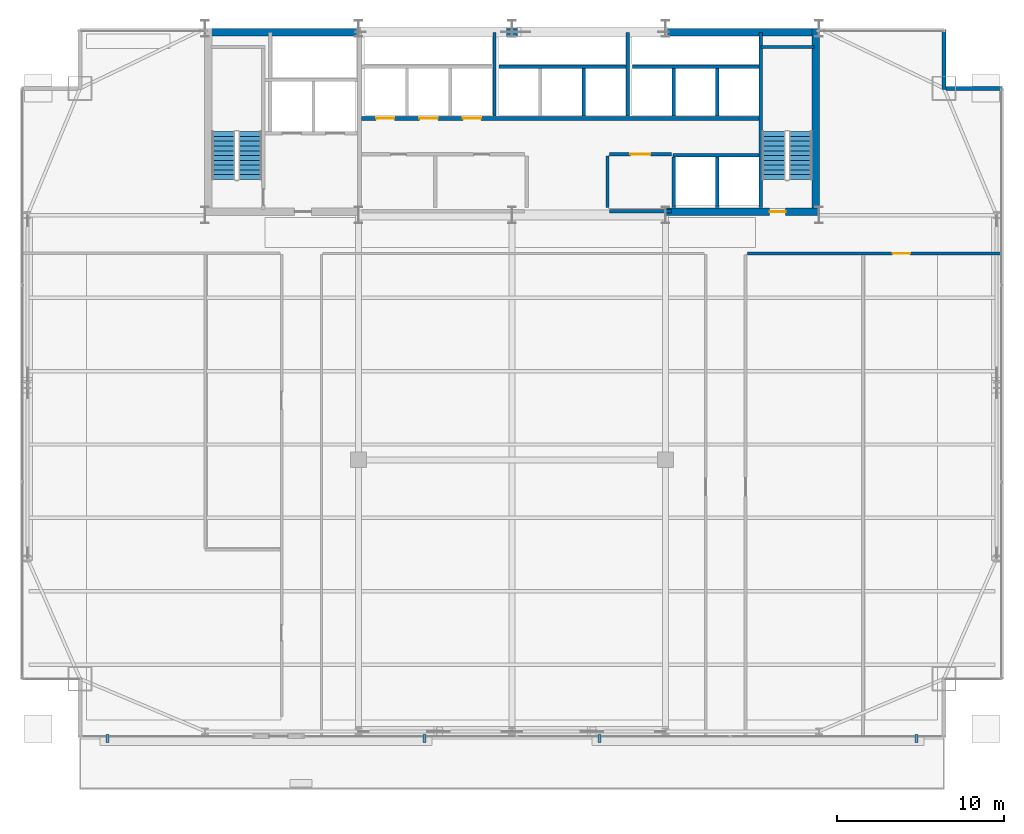
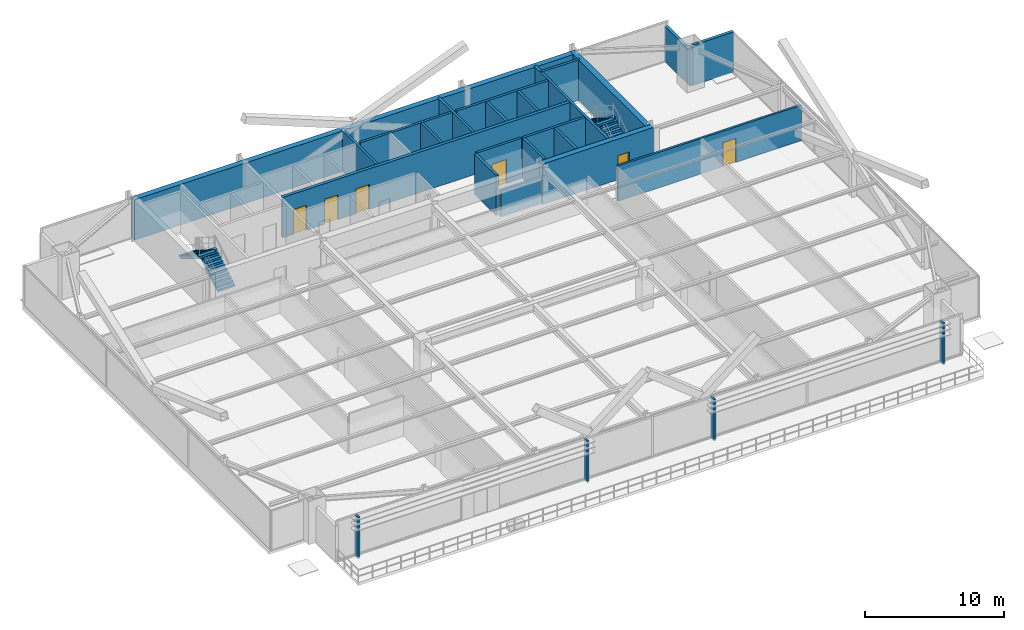
# One storey, part 33 of 35: 22 walls, 6 doors, 4 discrete accessories, 4 stair flights, 6 openings, 2 elements without a shape of their own.
"""IFC4 building model written with IfcOpenShell, lengths in metres."""

from ifc_helpers import new_model, si_unit, direction, frame, frame_2d, origin, origin_2d, place, context, subcontext, project, spatial, polyline, rectangle, outline, extrude, source, transform, mapped, material, layer, layer_set, type_object, type_shapes, element, fill, aggregate, save


model = new_model("IFC4")

# Units and contexts
model_context = context("Model", 3, precision=1e-05, world=origin(), true_north=direction((0.0, 1.0)))
body_context = subcontext(model_context, "Body", "Model", "MODEL_VIEW")
ifc_project = project(units=[si_unit("LENGTHUNIT", "METRE"), si_unit("AREAUNIT", "SQUARE_METRE"), si_unit("VOLUMEUNIT", "CUBIC_METRE"), si_unit("PLANEANGLEUNIT", "RADIAN"), si_unit("MASSUNIT", "GRAM", prefix="KILO")], contexts=[model_context])

# Site, building, storey
site_placement = place(None, origin())
site = spatial("IfcSite", under=ifc_project, at=site_placement, CompositionType="ELEMENT")
building_placement = place(site_placement, origin())
building = spatial("IfcBuilding", under=site, at=building_placement, Name="Varnel Quay Broadcast Tower", CompositionType="ELEMENT")
storey_placement = place(building_placement, frame((0.0, 0.0, 87.0)))
storey = spatial("IfcBuildingStorey", under=building, at=storey_placement, Name="L20", CompositionType="ELEMENT", Elevation=87.0)

# Walls
ifc_material_1 = material(Name="Concrete CSA A23.3 C50/60", Category="concrete")
ifc_layer_1 = layer(ifc_material_1, 0.199951171875, Name="Concrete CSA A23.3 C50/60")
ifc_layer_set_1 = layer_set([ifc_layer_1], Name="Concrete CSA A23.3 C50/60")
wall_type_1 = type_object("IfcWallType", Name="Wall_CoreShaftShear200", PredefinedType="SHEAR", material=ifc_layer_set_1)
wall_1_placement = place(storey_placement, frame((48.919921875, 36.050048828125, 0.0), z_axis=(0.0, 0.0, 1.0), x_axis=(0.0, 1.0, 0.0)))
element("IfcWall", 1, at=wall_1_placement, inside=storey, type_object=wall_type_1, Name="L20 Stair 2 West Structural Wall", PredefinedType="SHEAR", context=body_context, shape_type="SweptSolid", body=[
    extrude(rectangle(XDim=10.5, YDim=0.199951171875, at=frame_2d((5.25, 0.0))), origin(), (0.0, 0.0, 1.0), 3.550048828125),
])
wall_2_placement = place(storey_placement, frame((48.919921875, 45.679931640625, 0.0), z_axis=(0.0, 0.0, 1.0), x_axis=(1.0, 0.0, 0.0)))
element("IfcWall", 2, at=wall_2_placement, inside=storey, type_object=wall_type_1, Name="L20 Stair 2 North Structural Wall", PredefinedType="SHEAR", context=body_context, shape_type="SweptSolid", body=[
    extrude(rectangle(XDim=3.18017578125, YDim=0.199951171875, at=frame_2d((1.590087890625, 0.0))), origin(), (0.0, 0.0, 1.0), 3.550048828125),
])
wall_3_placement = place(storey_placement, frame((32.949951171875, 41.530029296875, 0.0), z_axis=(0.0, 0.0, 1.0), x_axis=(0.0, 1.0, 0.0)))
element("IfcWall", 3, at=wall_3_placement, inside=storey, type_object=wall_type_1, Name="L20 Low-Rise Lift Shaft Divider 3", PredefinedType="SHEAR", context=body_context, shape_type="SweptSolid", body=[
    extrude(rectangle(XDim=5.02001953125, YDim=0.199951171875, at=frame_2d((2.510009765625, 0.0))), origin(), (0.0, 0.0, 1.0), 3.550048828125),
])
wall_4_placement = place(storey_placement, frame((33.219970703125, 44.5, 0.0), z_axis=(0.0, 0.0, 1.0), x_axis=(1.0, 0.0, 0.0)))
element("IfcWall", 4, at=wall_4_placement, inside=storey, type_object=wall_type_1, Name="L20 Mid-Rise Lift Shaft Rear Wall", PredefinedType="SHEAR", context=body_context, shape_type="SweptSolid", body=[
    extrude(rectangle(XDim=7.630126953125, YDim=0.199951171875, at=frame_2d((3.81494140625, 0.0))), origin(), (0.0, 0.0, 1.0), 3.550048828125),
])
wall_5_placement = place(storey_placement, frame((38.300048828125, 41.530029296875, 0.0), z_axis=(0.0, 0.0, 1.0), x_axis=(0.0, 1.0, 0.0)))
element("IfcWall", 5, at=wall_5_placement, inside=storey, type_object=wall_type_1, Name="L20 Mid-Rise Lift Shaft Divider 3", PredefinedType="SHEAR", context=body_context, shape_type="SweptSolid", body=[
    extrude(rectangle(XDim=2.869873046875, YDim=0.199951171875, at=frame_2d((1.43505859375, 0.0))), origin(), (0.0, 0.0, 1.0), 3.550048828125),
])
wall_6_placement = place(storey_placement, frame((40.949951171875, 41.530029296875, 0.0), z_axis=(0.0, 0.0, 1.0), x_axis=(0.0, 1.0, 0.0)))
element("IfcWall", 6, at=wall_6_placement, inside=storey, type_object=wall_type_1, Name="L20 Mid-Rise Lift Shaft Divider 4", PredefinedType="SHEAR", context=body_context, shape_type="SweptSolid", body=[
    extrude(rectangle(XDim=5.02001953125, YDim=0.199951171875, at=frame_2d((2.510009765625, 0.0))), origin(), (0.0, 0.0, 1.0), 3.550048828125),
])
wall_7_placement = place(storey_placement, frame((41.219970703125, 44.5, 0.0), z_axis=(0.0, 0.0, 1.0), x_axis=(1.0, 0.0, 0.0)))
element("IfcWall", 7, at=wall_7_placement, inside=storey, type_object=wall_type_1, Name="L20 High-Rise Lift Shaft Rear Wall", PredefinedType="SHEAR", context=body_context, shape_type="SweptSolid", body=[
    extrude(rectangle(XDim=7.580078125, YDim=0.199951171875, at=frame_2d((3.7900390625, 0.0))), origin(), (0.0, 0.0, 1.0), 3.550048828125),
])
for number, where, z_axis, x_axis, name in (
    (8, (43.699951171875, 41.530029296875, 0.0), (0.0, 0.0, 1.0), (0.0, 1.0, 0.0), "L20 High-Rise Lift Shaft Divider 2"),
    (9, (46.300048828125, 41.530029296875, 0.0), (0.0, 0.0, 1.0), (0.0, 1.0, 0.0), "L20 High-Rise Lift Shaft Divider 3"),
):
    element("IfcWall", number, at=place(storey_placement, frame(where, z_axis=z_axis, x_axis=x_axis)), inside=storey, type_object=wall_type_1, Name=name, PredefinedType="SHEAR", context=body_context, shape_type="SweptSolid", body=[
        extrude(rectangle(XDim=2.869873046875, YDim=0.199951171875, at=frame_2d((1.43505859375, 0.0))), origin(), (0.0, 0.0, 1.0), 3.550048828125),
    ])
for number, where, z_axis, x_axis, name in (
    (10, (43.699951171875, 36.050048828125, 0.0), (0.0, 0.0, 1.0), (0.0, 1.0, 0.0), "L20 Express Lift Shaft West Wall"),
    (11, (46.300048828125, 36.050048828125, 0.0), (0.0, 0.0, 1.0), (0.0, 1.0, 0.0), "L20 Express Lift Shaft Divider"),
):
    element("IfcWall", number, at=place(storey_placement, frame(where, z_axis=z_axis, x_axis=x_axis)), inside=storey, type_object=wall_type_1, Name=name, PredefinedType="SHEAR", context=body_context, shape_type="SweptSolid", body=[
        extrude(rectangle(XDim=3.050048828125, YDim=0.199951171875, at=frame_2d((1.52490234375, 0.0))), origin(), (0.0, 0.0, 1.0), 3.550048828125),
    ])
wall_8_placement = place(storey_placement, frame((43.64990234375, 39.199951171875, 0.0), z_axis=(0.0, 0.0, 1.0), x_axis=(1.0, 0.0, 0.0)))
element("IfcWall", 12, at=wall_8_placement, inside=storey, type_object=wall_type_1, Name="L20 Express Lift Shaft North Front Wall", PredefinedType="SHEAR", context=body_context, shape_type="SweptSolid", body=[
    extrude(rectangle(XDim=5.150146484375, YDim=0.199951171875, at=frame_2d((2.5751953125, 0.0))), origin(), (0.0, 0.0, 1.0), 3.550048828125),
])

# Wall, openings, doors
ifc_layer_2 = layer(ifc_material_1, 0.25, Name="Concrete CSA A23.3 C50/60")
ifc_layer_set_2 = layer_set([ifc_layer_2], Name="Concrete CSA A23.3 C50/60")
wall_type_2 = type_object("IfcWallType", Name="Wall_CoreShaftShear250", PredefinedType="SHEAR", material=ifc_layer_set_2)
wall_9_placement = place(storey_placement, frame((24.97998046875, 41.39990234375, 0.0), z_axis=(0.0, 0.0, 1.0), x_axis=(1.0, 0.0, 0.0)))
wall_9 = element("IfcWall", 13, at=wall_9_placement, inside=storey, type_object=wall_type_2, Name="L20 North Lift Bank & Reclaimed Suite Wall", PredefinedType="SHEAR", context=body_context, shape_type="SweptSolid", body=[
    extrude(rectangle(XDim=23.820068359375, YDim=0.25, at=frame_2d((11.91015625, 0.0))), origin(), (0.0, 0.0, 1.0), 3.550048828125),
])
opening_1_placement = place(wall_9_placement, frame((0.8701171875, 0.0, 0.0)))
opening_1 = element("IfcOpeningElement", 14, at=opening_1_placement, cuts=wall_9, Name="Opening LD-L20-PL-01", PredefinedType="OPENING", context=body_context, shape_type="SweptSolid", body=[
    extrude(rectangle(XDim=1.10009765625, YDim=2.179931640625, at=frame_2d((0.550048828125, 1.08984375))), frame((0.0, 0.135009765625, 0.0), z_axis=(0.0, -1.0, 0.0), x_axis=(1.0, 0.0, 0.0)), (0.0, 0.0, 1.0), 0.27001953125),
])
opening_2_placement = place(wall_9_placement, frame((3.469970703125, 0.0, 0.0)))
opening_2 = element("IfcOpeningElement", 15, at=opening_2_placement, cuts=wall_9, Name="Opening LD-L20-PL-02", PredefinedType="OPENING", context=body_context, shape_type="SweptSolid", body=[
    extrude(rectangle(XDim=1.10009765625, YDim=2.179931640625, at=frame_2d((0.550048828125, 1.08984375))), frame((0.0, 0.135009765625, 0.0), z_axis=(0.0, -1.0, 0.0), x_axis=(1.0, 0.0, 0.0)), (0.0, 0.0, 1.0), 0.27001953125),
])
opening_3_placement = place(wall_9_placement, frame((6.070068359375, 0.0, 0.0)))
opening_3 = element("IfcOpeningElement", 16, at=opening_3_placement, cuts=wall_9, Name="Opening LD-L20-PL-03", PredefinedType="OPENING", context=body_context, shape_type="SweptSolid", body=[
    extrude(rectangle(XDim=1.10009765625, YDim=2.179931640625, at=frame_2d((0.550048828125, 1.08984375))), frame((0.0, 0.135009765625, 0.0), z_axis=(0.0, -1.0, 0.0), x_axis=(1.0, 0.0, 0.0)), (0.0, 0.0, 1.0), 0.27001953125),
])
ifc_material_2 = material(Name="Brushed Bronze-Stainless Lift Car & Sliding Doors", Category="steel")
door_type_1 = type_object("IfcDoorType", Name="Door_LiftLanding1100", OperationType="SLIDING_TO_LEFT", PredefinedType="DOOR", material=ifc_material_2)
shared_shape_1 = source(origin(), body_context, "Body", "SweptSolid", [
    extrude(rectangle(XDim=1.10009765625, YDim=2.179931640625, at=frame_2d((0.550048828125, 1.08984375))), frame((0.0, 0.02490234375, 0.0), z_axis=(0.0, -1.0, 0.0), x_axis=(1.0, 0.0, 0.0)), (0.0, 0.0, 1.0), 0.050048828125),
])
type_shapes(door_type_1, [shared_shape_1])
door_1_placement = place(opening_1_placement, frame((1.10009765625, 0.0, 0.0), z_axis=(0.0, 0.0, 1.0), x_axis=(-1.0, 0.0, 0.0)))
door_1 = element("IfcDoor", 17, at=door_1_placement, inside=storey, type_object=door_type_1, Name="L20 Lift PL-01 Landing Door", OperationType="SLIDING_TO_LEFT", OverallHeight=2.179931640625, OverallWidth=1.10009765625, PredefinedType="DOOR", context=body_context, shape_type="MappedRepresentation", body=[
    mapped(shared_shape_1, transform((0.0, 0.0, 0.0), x_axis=(1.0, 0.0, 0.0), y_axis=(0.0, 1.0, 0.0), z_axis=(0.0, 0.0, 1.0), scale=1.0)),
])
fill(opening_1, door_1)
door_2_placement = place(opening_2_placement, frame((1.10009765625, 0.0, 0.0), z_axis=(0.0, 0.0, 1.0), x_axis=(-1.0, 0.0, 0.0)))
door_2 = element("IfcDoor", 18, at=door_2_placement, inside=storey, type_object=door_type_1, Name="L20 Lift PL-02 Landing Door", OperationType="SLIDING_TO_LEFT", OverallHeight=2.179931640625, OverallWidth=1.10009765625, PredefinedType="DOOR", context=body_context, shape_type="MappedRepresentation", body=[
    mapped(shared_shape_1, transform((0.0, 0.0, 0.0), x_axis=(1.0, 0.0, 0.0), y_axis=(0.0, 1.0, 0.0), z_axis=(0.0, 0.0, 1.0), scale=1.0)),
])
fill(opening_2, door_2)
door_3_placement = place(opening_3_placement, frame((1.10009765625, 0.0, 0.0), z_axis=(0.0, 0.0, 1.0), x_axis=(-1.0, 0.0, 0.0)))
door_3 = element("IfcDoor", 19, at=door_3_placement, inside=storey, type_object=door_type_1, Name="L20 Lift PL-03 Landing Door", OperationType="SLIDING_TO_LEFT", OverallHeight=2.179931640625, OverallWidth=1.10009765625, PredefinedType="DOOR", context=body_context, shape_type="MappedRepresentation", body=[
    mapped(shared_shape_1, transform((0.0, 0.0, 0.0), x_axis=(1.0, 0.0, 0.0), y_axis=(0.0, 1.0, 0.0), z_axis=(0.0, 0.0, 1.0), scale=1.0)),
])
fill(opening_3, door_3)

# Walls
ifc_material_3 = material(Name="Concrete CSA A23.3 C60/75", Category="concrete")
ifc_layer_3 = layer(ifc_material_3, 0.449951171875, Name="Concrete CSA A23.3 C60/75")
ifc_layer_set_3 = layer_set([ifc_layer_3], Name="Concrete CSA A23.3 C60/75")
wall_type_3 = type_object("IfcWallType", Name="Wall_CoreShearExt450", PredefinedType="SHEAR", material=ifc_layer_set_3)
wall_10_placement = place(storey_placement, frame((15.60009765625, 46.574951171875, 0.0), z_axis=(0.0, 0.0, 1.0), x_axis=(1.0, 0.0, 0.0)))
element("IfcWall", 20, at=wall_10_placement, inside=storey, type_object=wall_type_3, Name="L20 North Core Shear Wall", PredefinedType="SHEAR", context=body_context, shape_type="SweptSolid", body=[
    extrude(rectangle(XDim=36.7998046875, YDim=0.449951171875, at=frame_2d((18.39990234375, 0.0))), origin(), (0.0, 0.0, 1.0), 3.550048828125),
])
ifc_layer_4 = layer(ifc_material_3, 0.449951171875, Name="Concrete CSA A23.3 C60/75")
ifc_layer_set_4 = layer_set([ifc_layer_4], Name="Concrete CSA A23.3 C60/75")
wall_type_4 = type_object("IfcWallType", Name="Wall_CoreShearInt450", PredefinedType="SHEAR", material=ifc_layer_set_4)
wall_11_placement = place(storey_placement, frame((52.205078125, 35.570068359375, 0.0), z_axis=(0.0, 0.0, 1.0), x_axis=(0.0, 1.0, 0.0)))
element("IfcWall", 21, at=wall_11_placement, inside=storey, type_object=wall_type_4, Name="L20 East Core Shear Wall", PredefinedType="SHEAR", context=body_context, shape_type="SweptSolid", body=[
    extrude(rectangle(XDim=11.22998046875, YDim=0.449951171875, at=frame_2d((5.614990234375, 0.0))), origin(), (0.0, 0.0, 1.0), 3.550048828125),
])

# Wall, opening, door
wall_12_placement = place(storey_placement, frame((43.199951171875, 35.794921875, 0.0), z_axis=(0.0, 0.0, 1.0), x_axis=(1.0, 0.0, 0.0)))
wall_12 = element("IfcWall", 22, at=wall_12_placement, inside=storey, type_object=wall_type_4, Name="L20 South-East Core Shear Wall", PredefinedType="SHEAR", context=body_context, shape_type="SweptSolid", body=[
    extrude(rectangle(XDim=9.22998046875, YDim=0.449951171875, at=frame_2d((4.614990234375, 0.0))), origin(), (0.0, 0.0, 1.0), 3.550048828125),
])
opening_4_placement = place(wall_12_placement, frame((6.25, 0.0, 0.0)))
opening_4 = element("IfcOpeningElement", 23, at=opening_4_placement, cuts=wall_12, Name="Opening D-L20-S2", PredefinedType="OPENING", context=body_context, shape_type="SweptSolid", body=[
    extrude(rectangle(XDim=0.949951171875, YDim=2.10009765625, at=frame_2d((0.47509765625, 1.050048828125))), frame((0.0, 0.23486328125, 0.0), z_axis=(0.0, -1.0, 0.0), x_axis=(1.0, 0.0, 0.0)), (0.0, 0.0, 1.0), 0.469970703125),
])
ifc_material_4 = material(Name="Insulated Fire-Rated Hollow Steel Door", Category="steel")
door_type_2 = type_object("IfcDoorType", Name="Door_FireStair950", OperationType="NOTDEFINED", PredefinedType="DOOR", material=ifc_material_4)
shared_shape_2 = source(origin(), body_context, "Body", "SweptSolid", [
    extrude(rectangle(XDim=0.949951171875, YDim=2.10009765625, at=frame_2d((0.47509765625, 1.050048828125))), frame((0.0, 0.02490234375, 0.0), z_axis=(0.0, -1.0, 0.0), x_axis=(1.0, 0.0, 0.0)), (0.0, 0.0, 1.0), 0.050048828125),
])
type_shapes(door_type_2, [shared_shape_2])
door_4_placement = place(opening_4_placement, origin())
door_4 = element("IfcDoor", 24, at=door_4_placement, inside=storey, type_object=door_type_2, Name="L20 Stair 2 Fire Door", OperationType="SINGLE_SWING_RIGHT", OverallHeight=2.10009765625, OverallWidth=0.949951171875, PredefinedType="DOOR", context=body_context, shape_type="MappedRepresentation", body=[
    mapped(shared_shape_2, transform((0.0, 0.0, 0.0), x_axis=(1.0, 0.0, 0.0), y_axis=(0.0, 1.0, 0.0), z_axis=(0.0, 0.0, 1.0), scale=1.0)),
])
fill(opening_4, door_4)

# Walls
ifc_material_5 = material(Name="Precast Architectural Concrete C40/50", Category="concrete")
ifc_layer_5 = layer(ifc_material_5, 0.25, Name="Precast Architectural Concrete C40/50")
ifc_layer_set_5 = layer_set([ifc_layer_5], Name="Precast Architectural Concrete C40/50")
wall_type_5 = type_object("IfcWallType", Name="Wall_ExtTerrace250", PredefinedType="SOLIDWALL", material=ifc_layer_set_5)
wall_13_placement = place(storey_placement, frame((60.030029296875, 43.199951171875, 0.0), z_axis=(0.0, 0.0, 1.0), x_axis=(1.0, 0.0, 0.0)))
element("IfcWall", 25, at=wall_13_placement, inside=storey, type_object=wall_type_5, Name="L20 Mega-Column Notch Cladding Wall NNE1", PredefinedType="SOLIDWALL", context=body_context, shape_type="SweptSolid", body=[
    extrude(rectangle(XDim=3.389892578125, YDim=0.25, at=frame_2d((1.69482421875, 0.0))), origin(), (0.0, 0.0, 1.0), 3.530029296875),
])
wall_14_placement = place(storey_placement, frame((59.89990234375, 43.1201171875, 0.0), z_axis=(0.0, 0.0, 1.0), x_axis=(0.0, 1.0, 0.0)))
element("IfcWall", 26, at=wall_14_placement, inside=storey, type_object=wall_type_5, Name="L20 Mega-Column Notch Cladding Wall NNE2", PredefinedType="SOLIDWALL", context=body_context, shape_type="SweptSolid", body=[
    extrude(rectangle(XDim=3.599853515625, YDim=0.25, at=frame_2d((1.7998046875, 0.0))), origin(), (0.0, 0.0, 1.0), 3.10791015625),
])
ifc_material_6 = material(Name="Concrete Blockwork Fire Enclosure C40/50", Category="masonry")
ifc_layer_6 = layer(ifc_material_6, 0.199951171875, Name="Concrete Blockwork Fire Enclosure C40/50")
ifc_layer_set_6 = layer_set([ifc_layer_6], Name="Concrete Blockwork Fire Enclosure C40/50")
wall_type_6 = type_object("IfcWallType", Name="Wall_FireShaft200", PredefinedType="SOLIDWALL", material=ifc_layer_set_6)
wall_15_placement = place(storey_placement, frame((39.85009765625, 35.824951171875, 0.0), z_axis=(0.0, 0.0, 1.0), x_axis=(1.0, 0.0, 0.0)))
element("IfcWall", 27, at=wall_15_placement, inside=storey, type_object=wall_type_6, Name="L20 Electrical Sub-Distribution Closet Partition 5", PredefinedType="SOLIDWALL", context=body_context, shape_type="SweptSolid", body=[
    extrude(rectangle(XDim=3.699951171875, YDim=0.199951171875, at=frame_2d((1.85009765625, 0.0))), origin(), (0.0, 0.0, 1.0), 2.324951171875),
])

# Wall, opening, door
wall_16_placement = place(storey_placement, frame((39.85009765625, 39.25, 0.0), z_axis=(0.0, 0.0, 1.0), x_axis=(1.0, 0.0, 0.0)))
wall_16 = element("IfcWall", 28, at=wall_16_placement, inside=storey, type_object=wall_type_6, Name="L20 Electrical Sub-Distribution Closet Partition 6", PredefinedType="SOLIDWALL", context=body_context, shape_type="SweptSolid", body=[
    extrude(rectangle(XDim=3.699951171875, YDim=0.199951171875, at=frame_2d((1.85009765625, 0.0))), origin(), (0.0, 0.0, 1.0), 3.530029296875),
])
opening_5_placement = place(wall_16_placement, frame((1.25, 0.0, 0.0)))
opening_5 = element("IfcOpeningElement", 29, at=opening_5_placement, cuts=wall_16, Name="Opening D-L20-03", PredefinedType="OPENING", context=body_context, shape_type="SweptSolid", body=[
    extrude(rectangle(XDim=1.199951171875, YDim=2.10009765625, at=frame_2d((0.60009765625, 1.050048828125))), frame((0.0, 0.10986328125, 0.0), z_axis=(0.0, -1.0, 0.0), x_axis=(1.0, 0.0, 0.0)), (0.0, 0.0, 1.0), 0.219970703125),
])
door_type_3 = type_object("IfcDoorType", Name="Door_Plant1200", OperationType="NOTDEFINED", PredefinedType="DOOR", material=ifc_material_4)
shared_shape_3 = source(origin(), body_context, "Body", "SweptSolid", [
    extrude(rectangle(XDim=1.199951171875, YDim=2.10009765625, at=frame_2d((0.60009765625, 1.050048828125))), frame((0.0, 0.02490234375, 0.0), z_axis=(0.0, -1.0, 0.0), x_axis=(1.0, 0.0, 0.0)), (0.0, 0.0, 1.0), 0.050048828125),
])
type_shapes(door_type_3, [shared_shape_3])
door_5_placement = place(opening_5_placement, origin())
door_5 = element("IfcDoor", 30, at=door_5_placement, inside=storey, type_object=door_type_3, Name="L20 Electrical Sub-Distribution Closet Door D-L20-03", OperationType="SINGLE_SWING_LEFT", OverallHeight=2.10009765625, OverallWidth=1.199951171875, PredefinedType="DOOR", context=body_context, shape_type="MappedRepresentation", body=[
    mapped(shared_shape_3, transform((0.0, 0.0, 0.0), x_axis=(1.0, 0.0, 0.0), y_axis=(0.0, 1.0, 0.0), z_axis=(0.0, 0.0, 1.0), scale=1.0)),
])
fill(opening_5, door_5)

# Wall
wall_17_placement = place(storey_placement, frame((39.72509765625, 36.050048828125, 0.0), z_axis=(0.0, 0.0, 1.0), x_axis=(0.0, 1.0, 0.0)))
element("IfcWall", 31, at=wall_17_placement, inside=storey, type_object=wall_type_6, Name="L20 Electrical Sub-Distribution Closet Partition 7", PredefinedType="SOLIDWALL", context=body_context, shape_type="SweptSolid", body=[
    extrude(rectangle(XDim=3.099853515625, YDim=0.199951171875, at=frame_2d((1.5498046875, 0.0))), origin(), (0.0, 0.0, 1.0), 3.530029296875),
])

# Wall, opening, door
ifc_material_7 = material(Name="Steel-Stud Fire-Rated Acoustic Gypsum Partition Assembly", Category="steel")
ifc_layer_7 = layer(ifc_material_7, 0.175048828125, Name="Steel-Stud Fire-Rated Acoustic Gypsum Partition Assembly")
ifc_layer_set_7 = layer_set([ifc_layer_7], Name="Steel-Stud Fire-Rated Acoustic Gypsum Partition Assembly")
wall_type_7 = type_object("IfcWallType", Name="Wall_Partition175", PredefinedType="PARTITIONING", material=ifc_layer_set_7)
wall_18_placement = place(storey_placement, frame((48.110107421875, 33.300048828125, 0.0), z_axis=(0.0, 0.0, 1.0), x_axis=(1.0, 0.0, 0.0)))
wall_18 = element("IfcWall", 32, at=wall_18_placement, inside=storey, type_object=wall_type_7, Name="L20 Broadcast Seminar Room 4 Partition 16", PredefinedType="PARTITIONING", context=body_context, shape_type="SweptSolid", body=[
    extrude(rectangle(XDim=15.2099609375, YDim=0.175048828125, at=frame_2d((7.60498046875, 0.0))), origin(), (0.0, 0.0, 1.0), 3.10791015625),
])
opening_6_placement = place(wall_18_placement, frame((8.7099609375, 0.0, 0.0)))
opening_6 = element("IfcOpeningElement", 33, at=opening_6_placement, cuts=wall_18, Name="Opening D-L20-08", PredefinedType="OPENING", context=body_context, shape_type="SweptSolid", body=[
    extrude(rectangle(XDim=1.050048828125, YDim=2.10009765625, at=frame_2d((0.52490234375, 1.050048828125))), frame((0.0, 0.09765625, 0.0), z_axis=(0.0, -1.0, 0.0), x_axis=(1.0, 0.0, 0.0)), (0.0, 0.0, 1.0), 0.195068359375),
])
ifc_material_8 = material(Name="Solid-Core Fire-Rated Acoustic Oak Veneer Door", Category="wood")
door_type_4 = type_object("IfcDoorType", Name="Door_Meeting1050", OperationType="NOTDEFINED", PredefinedType="DOOR", material=ifc_material_8)
shared_shape_4 = source(origin(), body_context, "Body", "SweptSolid", [
    extrude(rectangle(XDim=1.050048828125, YDim=2.10009765625, at=frame_2d((0.52490234375, 1.050048828125))), frame((0.0, 0.02490234375, 0.0), z_axis=(0.0, -1.0, 0.0), x_axis=(1.0, 0.0, 0.0)), (0.0, 0.0, 1.0), 0.050048828125),
])
type_shapes(door_type_4, [shared_shape_4])
door_6_placement = place(opening_6_placement, frame((1.050048828125, 0.0, 0.0), z_axis=(0.0, 0.0, 1.0), x_axis=(-1.0, 0.0, 0.0)))
door_6 = element("IfcDoor", 34, at=door_6_placement, inside=storey, type_object=door_type_4, Name="L20 Press Briefing Room 5 Door D-L20-08", OperationType="SINGLE_SWING_RIGHT", OverallHeight=2.10009765625, OverallWidth=1.050048828125, PredefinedType="DOOR", context=body_context, shape_type="MappedRepresentation", body=[
    mapped(shared_shape_4, transform((0.0, 0.0, 0.0), x_axis=(1.0, 0.0, 0.0), y_axis=(0.0, 1.0, 0.0), z_axis=(0.0, 0.0, 1.0), scale=1.0)),
])
fill(opening_6, door_6)

# Stair, stair flights
ifc_material_9 = material(Name="Precast Structural Concrete C40/50", Category="concrete")
stair_type_1 = type_object("IfcStairType", Name="Stair_ST-01", PredefinedType="HALF_TURN_STAIR", material=ifc_material_9)
stair_1_placement = place(storey_placement, origin())
stair_1 = element("IfcStair", 35, at=stair_1_placement, inside=storey, type_object=stair_type_1, Name="L20 West Core Exit Stair 1", PredefinedType="HALF_TURN_STAIR")
stair_flight_type_1 = type_object("IfcStairFlightType", Name="Flight_ST-01", PredefinedType="STRAIGHT", material=ifc_material_9)
stair_flight_1_placement = place(storey_placement, frame((18.300048828125, 37.75, 0.0), z_axis=(0.0, 0.0, 1.0), x_axis=(0.0, 1.0, 0.0)))
stair_flight_1 = element("IfcStairFlight", 36, at=stair_flight_1_placement, type_object=stair_flight_type_1, Name="ST-01 flight 1", NumberOfRisers=11, NumberOfTreads=10, PredefinedType="STRAIGHT", RiserHeight=0.172727273, TreadLength=0.285, context=body_context, shape_type="SweptSolid", body=[
    extrude(outline(polyline([(0.0, 0.0), (0.0, 0.172607421875), (0.284912109375, 0.172607421875), (0.284912109375, 0.345458984375), (0.570068359375, 0.345458984375), (0.570068359375, 0.51806640625), (0.85498046875, 0.51806640625), (0.85498046875, 0.69091796875), (1.139892578125, 0.69091796875), (1.139892578125, 0.863525390625), (1.425048828125, 0.863525390625), (1.425048828125, 1.036376953125), (1.7099609375, 1.036376953125), (1.7099609375, 1.208984375), (1.9951171875, 1.208984375), (1.9951171875, 1.3818359375), (2.280029296875, 1.3818359375), (2.280029296875, 1.554443359375), (2.56494140625, 1.554443359375), (2.56494140625, 1.727294921875), (2.85009765625, 1.727294921875), (2.85009765625, 1.89990234375), (2.85009765625, 1.552001953125), (0.289306640625, 0.0), (0.0, 0.0)])), frame((0.0, 0.699951171875, 0.0), z_axis=(0.0, -1.0, 0.0), x_axis=(1.0, 0.0, 0.0)), (0.0, 0.0, 1.0), 1.39990234375),
])
stair_flight_2_placement = place(storey_placement, frame((16.699951171875, 40.60009765625, 1.89990234375), z_axis=(0.0, 0.0, 1.0), x_axis=(0.0, -1.0, 0.0)))
stair_flight_2 = element("IfcStairFlight", 37, at=stair_flight_2_placement, type_object=stair_flight_type_1, Name="ST-01 flight 2", NumberOfRisers=11, NumberOfTreads=10, PredefinedType="STRAIGHT", RiserHeight=0.172727273, TreadLength=0.285, context=body_context, shape_type="SweptSolid", body=[
    extrude(outline(polyline([(0.0, 0.0), (0.0, 0.172607421875), (0.284912109375, 0.172607421875), (0.284912109375, 0.345458984375), (0.570068359375, 0.345458984375), (0.570068359375, 0.51806640625), (0.85498046875, 0.51806640625), (0.85498046875, 0.69091796875), (1.139892578125, 0.69091796875), (1.139892578125, 0.863525390625), (1.425048828125, 0.863525390625), (1.425048828125, 1.036376953125), (1.7099609375, 1.036376953125), (1.7099609375, 1.208984375), (1.9951171875, 1.208984375), (1.9951171875, 1.3818359375), (2.280029296875, 1.3818359375), (2.280029296875, 1.554443359375), (2.56494140625, 1.554443359375), (2.56494140625, 1.727294921875), (2.85009765625, 1.727294921875), (2.85009765625, 1.89990234375), (2.85009765625, 1.552001953125), (0.289306640625, 0.0), (0.0, 0.0)])), frame((0.0, 0.699951171875, 0.0), z_axis=(0.0, -1.0, 0.0), x_axis=(1.0, 0.0, 0.0)), (0.0, 0.0, 1.0), 1.39990234375),
])
aggregate(stair_1, [stair_flight_1, stair_flight_2])

stair_type_2 = type_object("IfcStairType", Name="Stair_ST-02", PredefinedType="HALF_TURN_STAIR", material=ifc_material_9)
stair_2_placement = place(storey_placement, origin())
stair_2 = element("IfcStair", 38, at=stair_2_placement, inside=storey, type_object=stair_type_2, Name="L20 East Core Exit Stair 2", PredefinedType="HALF_TURN_STAIR")
stair_flight_type_2 = type_object("IfcStairFlightType", Name="Flight_ST-02", PredefinedType="STRAIGHT", material=ifc_material_9)
stair_flight_3_placement = place(storey_placement, frame((51.300048828125, 37.75, 0.0), z_axis=(0.0, 0.0, 1.0), x_axis=(0.0, 1.0, 0.0)))
stair_flight_3 = element("IfcStairFlight", 39, at=stair_flight_3_placement, type_object=stair_flight_type_2, Name="ST-02 flight 1", NumberOfRisers=11, NumberOfTreads=10, PredefinedType="STRAIGHT", RiserHeight=0.172727273, TreadLength=0.285, context=body_context, shape_type="SweptSolid", body=[
    extrude(outline(polyline([(0.0, 0.0), (0.0, 0.172607421875), (0.284912109375, 0.172607421875), (0.284912109375, 0.345458984375), (0.570068359375, 0.345458984375), (0.570068359375, 0.51806640625), (0.85498046875, 0.51806640625), (0.85498046875, 0.69091796875), (1.139892578125, 0.69091796875), (1.139892578125, 0.863525390625), (1.425048828125, 0.863525390625), (1.425048828125, 1.036376953125), (1.7099609375, 1.036376953125), (1.7099609375, 1.208984375), (1.9951171875, 1.208984375), (1.9951171875, 1.3818359375), (2.280029296875, 1.3818359375), (2.280029296875, 1.554443359375), (2.56494140625, 1.554443359375), (2.56494140625, 1.727294921875), (2.85009765625, 1.727294921875), (2.85009765625, 1.89990234375), (2.85009765625, 1.552001953125), (0.289306640625, 0.0), (0.0, 0.0)])), frame((0.0, 0.699951171875, 0.0), z_axis=(0.0, -1.0, 0.0), x_axis=(1.0, 0.0, 0.0)), (0.0, 0.0, 1.0), 1.39990234375),
])
stair_flight_4_placement = place(storey_placement, frame((49.699951171875, 40.60009765625, 1.89990234375), z_axis=(0.0, 0.0, 1.0), x_axis=(0.0, -1.0, 0.0)))
stair_flight_4 = element("IfcStairFlight", 40, at=stair_flight_4_placement, type_object=stair_flight_type_2, Name="ST-02 flight 2", NumberOfRisers=11, NumberOfTreads=10, PredefinedType="STRAIGHT", RiserHeight=0.172727273, TreadLength=0.285, context=body_context, shape_type="SweptSolid", body=[
    extrude(outline(polyline([(0.0, 0.0), (0.0, 0.172607421875), (0.284912109375, 0.172607421875), (0.284912109375, 0.345458984375), (0.570068359375, 0.345458984375), (0.570068359375, 0.51806640625), (0.85498046875, 0.51806640625), (0.85498046875, 0.69091796875), (1.139892578125, 0.69091796875), (1.139892578125, 0.863525390625), (1.425048828125, 0.863525390625), (1.425048828125, 1.036376953125), (1.7099609375, 1.036376953125), (1.7099609375, 1.208984375), (1.9951171875, 1.208984375), (1.9951171875, 1.3818359375), (2.280029296875, 1.3818359375), (2.280029296875, 1.554443359375), (2.56494140625, 1.554443359375), (2.56494140625, 1.727294921875), (2.85009765625, 1.727294921875), (2.85009765625, 1.89990234375), (2.85009765625, 1.552001953125), (0.289306640625, 0.0), (0.0, 0.0)])), frame((0.0, 0.699951171875, 0.0), z_axis=(0.0, -1.0, 0.0), x_axis=(1.0, 0.0, 0.0)), (0.0, 0.0, 1.0), 1.39990234375),
])
aggregate(stair_2, [stair_flight_3, stair_flight_4])

# Discrete accessories
ifc_material_10 = material(Name="Anodised Bronze Aluminium 6063-T6", Category="aluminium")
ifc_layer_8 = layer(ifc_material_10, 0.47998046875, Name="Anodised Bronze Aluminium 6063-T6")
ifc_layer_set_8 = layer_set([ifc_layer_8], Name="Anodised Bronze Aluminium 6063-T6")
discrete_accessory_type = type_object("IfcDiscreteAccessoryType", Name="Acc_FacadeBracket", PredefinedType="BRACKET", material=ifc_layer_set_8)
shared_shape_5 = source(origin(), body_context, "Body", "SweptSolid", [
    extrude(rectangle(XDim=0.159912109375, YDim=0.47998046875, at=origin_2d()), origin(), (0.0, 0.0, 1.0), 3.64990234375),
])
type_shapes(discrete_accessory_type, [shared_shape_5])
for number, where, z_axis, x_axis, name in (
    (41, (9.75, 4.219970703125, -0.14990234375), (0.0, 0.0, 1.0), (1.0, 0.0, 0.0), "L20 Lobe 1 Louvre Support Bracket 1"),
    (42, (28.75, 4.219970703125, -0.14990234375), (0.0, 0.0, 1.0), (1.0, 0.0, 0.0), "L20 Lobe 1 Louvre Support Bracket 2"),
    (43, (39.25, 4.219970703125, -0.14990234375), (0.0, 0.0, 1.0), (1.0, 0.0, 0.0), "L20 Lobe 2 Louvre Support Bracket 1"),
    (44, (58.25, 4.219970703125, -0.14990234375), (0.0, 0.0, 1.0), (1.0, 0.0, 0.0), "L20 Lobe 2 Louvre Support Bracket 2"),
):
    element("IfcDiscreteAccessory", number, at=place(storey_placement, frame(where, z_axis=z_axis, x_axis=x_axis)), inside=storey, type_object=discrete_accessory_type, Name=name, PredefinedType="BRACKET", context=body_context, shape_type="MappedRepresentation", body=[
        mapped(shared_shape_5, transform((0.0, 0.0, 0.0), x_axis=(1.0, 0.0, 0.0), y_axis=(0.0, 1.0, 0.0), z_axis=(0.0, 0.0, 1.0), scale=1.0)),
    ])

save(model, "model.ifc")
